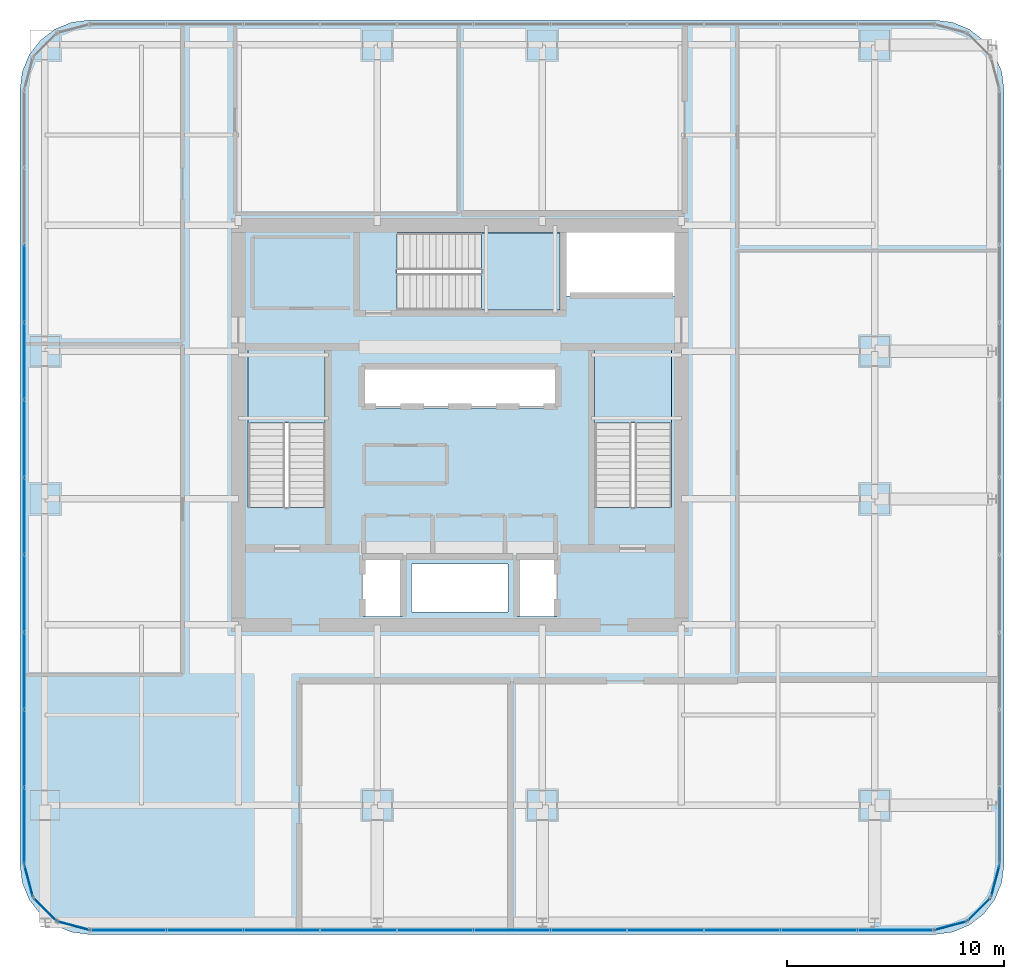
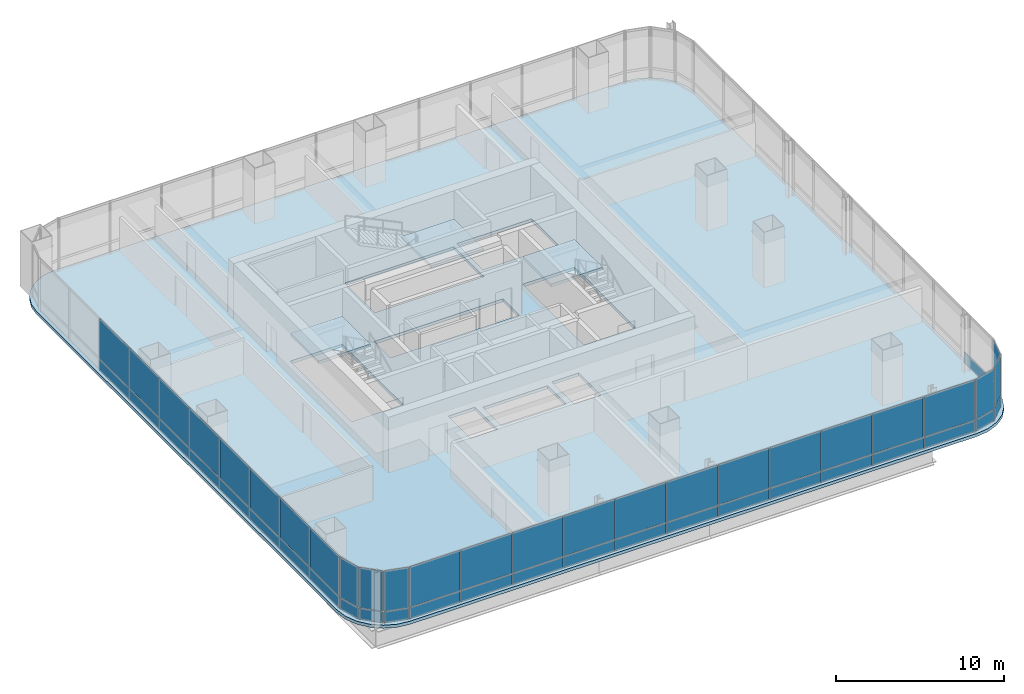
# One storey, part 27 of 35: 51 plates, 4 slabs, 12 elements without a shape of their own.
"""IFC4 building model written with IfcOpenShell, lengths in metres."""

from ifc_helpers import new_model, si_unit, direction, frame, origin, origin_2d, place, context, subcontext, project, spatial, polyline, rectangle, outline, extrude, material, layer, layer_set, type_object, element, aggregate, save


model = new_model("IFC4")

# Units and contexts
model_context = context("Model", 3, precision=1e-05, world=origin(), true_north=direction((0.0, 1.0)))
body_context = subcontext(model_context, "Body", "Model", "MODEL_VIEW")
ifc_project = project(units=[si_unit("LENGTHUNIT", "METRE"), si_unit("AREAUNIT", "SQUARE_METRE"), si_unit("VOLUMEUNIT", "CUBIC_METRE"), si_unit("PLANEANGLEUNIT", "RADIAN"), si_unit("MASSUNIT", "GRAM", prefix="KILO")], contexts=[model_context])

# Site, building, storey
site_placement = place(None, origin())
site = spatial("IfcSite", under=ifc_project, at=site_placement, CompositionType="ELEMENT")
building_placement = place(site_placement, origin())
building = spatial("IfcBuilding", under=site, at=building_placement, Name="Punatoya Terracotta Tower", CompositionType="ELEMENT")
storey_placement = place(building_placement, frame((0.0, 0.0, 216.75)))
storey = spatial("IfcBuildingStorey", under=building, at=storey_placement, Name="L51", CompositionType="ELEMENT", Elevation=216.75)

# Curtain wall, plates
ifc_material_1 = material(Name="Aluminium 6063-T6 + Double Low-E Glass", Category="aluminium")
curtain_wall_type = type_object("IfcCurtainWallType", Name="CW-M2", PredefinedType="NOTDEFINED", material=ifc_material_1)
curtain_wall_1_placement = place(storey_placement, origin())
curtain_wall_1 = element("IfcCurtainWall", 1, at=curtain_wall_1_placement, inside=storey, type_object=curtain_wall_type, Name="L51 Curtain Wall CW-L51-S01-1", PredefinedType="NOTDEFINED")
ifc_material_2 = material(Name="Double Low-E Acoustic Vision Glass", Category="glass")
ifc_layer_1 = layer(ifc_material_2, 0.031982421875)
ifc_layer_set_1 = layer_set([ifc_layer_1], Name="Double Low-E Acoustic Vision Glass")
plate_type_1 = type_object("IfcPlateType", Name="PLT-GLZ-32", PredefinedType="CURTAIN_PANEL", material=ifc_layer_set_1)
plate_1_placement = place(storey_placement, frame((-15.27001953125, -23.25, 0.89013671875), z_axis=(0.0, 0.0, 1.0), x_axis=(1.0, 0.0, 0.0)))
plate_1 = element("IfcPlate", 2, at=plate_1_placement, type_object=plate_type_1, Name="CW-L51-S01-1 Vision Glass Panel 1", PredefinedType="CURTAIN_PANEL", context=body_context, shape_type="SweptSolid", body=[
    extrude(rectangle(XDim=3.448974609375, YDim=0.031982421875, at=origin_2d()), origin(), (0.0, 0.0, 1.0), 2.89990234375),
])
plate_2_placement = place(storey_placement, frame((-11.73583984375, -23.25, 0.89013671875), z_axis=(0.0, 0.0, 1.0), x_axis=(1.0, 0.0, 0.0)))
plate_2 = element("IfcPlate", 3, at=plate_2_placement, type_object=plate_type_1, Name="CW-L51-S01-1 Vision Glass Panel 2", PredefinedType="CURTAIN_PANEL", context=body_context, shape_type="SweptSolid", body=[
    extrude(rectangle(XDim=3.448974609375, YDim=0.031982421875, at=origin_2d()), origin(), (0.0, 0.0, 1.0), 2.89990234375),
])
plate_3_placement = place(storey_placement, frame((-8.201904296875, -23.25, 0.89013671875), z_axis=(0.0, 0.0, 1.0), x_axis=(1.0, 0.0, 0.0)))
plate_3 = element("IfcPlate", 4, at=plate_3_placement, type_object=plate_type_1, Name="CW-L51-S01-1 Vision Glass Panel 3", PredefinedType="CURTAIN_PANEL", context=body_context, shape_type="SweptSolid", body=[
    extrude(rectangle(XDim=3.448974609375, YDim=0.031982421875, at=origin_2d()), origin(), (0.0, 0.0, 1.0), 2.89990234375),
])
plate_4_placement = place(storey_placement, frame((-4.66796875, -23.25, 0.89013671875), z_axis=(0.0, 0.0, 1.0), x_axis=(1.0, 0.0, 0.0)))
plate_4 = element("IfcPlate", 5, at=plate_4_placement, type_object=plate_type_1, Name="CW-L51-S01-1 Vision Glass Panel 4", PredefinedType="CURTAIN_PANEL", context=body_context, shape_type="SweptSolid", body=[
    extrude(rectangle(XDim=3.448974609375, YDim=0.031982421875, at=origin_2d()), origin(), (0.0, 0.0, 1.0), 2.89990234375),
])
plate_5_placement = place(storey_placement, frame((-1.134033203125, -23.25, 0.89013671875), z_axis=(0.0, 0.0, 1.0), x_axis=(1.0, 0.0, 0.0)))
plate_5 = element("IfcPlate", 6, at=plate_5_placement, type_object=plate_type_1, Name="CW-L51-S01-1 Vision Glass Panel 5", PredefinedType="CURTAIN_PANEL", context=body_context, shape_type="SweptSolid", body=[
    extrude(rectangle(XDim=3.448974609375, YDim=0.031982421875, at=origin_2d()), origin(), (0.0, 0.0, 1.0), 2.89990234375),
])
plate_6_placement = place(storey_placement, frame((2.39990234375, -23.25, 0.89013671875), z_axis=(0.0, 0.0, 1.0), x_axis=(1.0, 0.0, 0.0)))
plate_6 = element("IfcPlate", 7, at=plate_6_placement, type_object=plate_type_1, Name="CW-L51-S01-1 Vision Glass Panel 6", PredefinedType="CURTAIN_PANEL", context=body_context, shape_type="SweptSolid", body=[
    extrude(rectangle(XDim=3.448974609375, YDim=0.031982421875, at=origin_2d()), origin(), (0.0, 0.0, 1.0), 2.89990234375),
])
plate_7_placement = place(storey_placement, frame((5.93408203125, -23.25, 0.89013671875), z_axis=(0.0, 0.0, 1.0), x_axis=(1.0, 0.0, 0.0)))
plate_7 = element("IfcPlate", 8, at=plate_7_placement, type_object=plate_type_1, Name="CW-L51-S01-1 Vision Glass Panel 7", PredefinedType="CURTAIN_PANEL", context=body_context, shape_type="SweptSolid", body=[
    extrude(rectangle(XDim=3.448974609375, YDim=0.031982421875, at=origin_2d()), origin(), (0.0, 0.0, 1.0), 2.89990234375),
])
plate_8_placement = place(storey_placement, frame((9.468017578125, -23.25, 0.89013671875), z_axis=(0.0, 0.0, 1.0), x_axis=(1.0, 0.0, 0.0)))
plate_8 = element("IfcPlate", 9, at=plate_8_placement, type_object=plate_type_1, Name="CW-L51-S01-1 Vision Glass Panel 8", PredefinedType="CURTAIN_PANEL", context=body_context, shape_type="SweptSolid", body=[
    extrude(rectangle(XDim=3.448974609375, YDim=0.031982421875, at=origin_2d()), origin(), (0.0, 0.0, 1.0), 2.89990234375),
])
plate_9_placement = place(storey_placement, frame((13.001953125, -23.25, 0.89013671875), z_axis=(0.0, 0.0, 1.0), x_axis=(1.0, 0.0, 0.0)))
plate_9 = element("IfcPlate", 10, at=plate_9_placement, type_object=plate_type_1, Name="CW-L51-S01-1 Vision Glass Panel 9", PredefinedType="CURTAIN_PANEL", context=body_context, shape_type="SweptSolid", body=[
    extrude(rectangle(XDim=3.448974609375, YDim=0.031982421875, at=origin_2d()), origin(), (0.0, 0.0, 1.0), 2.89990234375),
])
plate_10_placement = place(storey_placement, frame((16.535888671875, -23.25, 0.89013671875), z_axis=(0.0, 0.0, 1.0), x_axis=(1.0, 0.0, 0.0)))
plate_10 = element("IfcPlate", 11, at=plate_10_placement, type_object=plate_type_1, Name="CW-L51-S01-1 Vision Glass Panel 10", PredefinedType="CURTAIN_PANEL", context=body_context, shape_type="SweptSolid", body=[
    extrude(rectangle(XDim=3.448974609375, YDim=0.031982421875, at=origin_2d()), origin(), (0.0, 0.0, 1.0), 2.89990234375),
])
plate_11_placement = place(storey_placement, frame((20.06982421875, -23.25, 0.89013671875), z_axis=(0.0, 0.0, 1.0), x_axis=(1.0, 0.0, 0.0)))
plate_11 = element("IfcPlate", 12, at=plate_11_placement, type_object=plate_type_1, Name="CW-L51-S01-1 Vision Glass Panel 11", PredefinedType="CURTAIN_PANEL", context=body_context, shape_type="SweptSolid", body=[
    extrude(rectangle(XDim=3.448974609375, YDim=0.031982421875, at=origin_2d()), origin(), (0.0, 0.0, 1.0), 2.89990234375),
])

# Curtain wall, plate
curtain_wall_2_placement = place(storey_placement, origin())
curtain_wall_2 = element("IfcCurtainWall", 13, at=curtain_wall_2_placement, inside=storey, type_object=curtain_wall_type, Name="L51 Curtain Wall CW-L51-CRN02", PredefinedType="NOTDEFINED")
plate_12_placement = place(storey_placement, frame((22.593017578125, -23.04833984375, 0.89013671875), z_axis=(0.0, 0.0, 1.0), x_axis=(0.966213877436, 0.257741620719, 0.0)))
plate_12 = element("IfcPlate", 14, at=plate_12_placement, type_object=plate_type_1, Name="CW-L51-CRN02 Vision Glass Panel 1", PredefinedType="CURTAIN_PANEL", context=body_context, shape_type="SweptSolid", body=[
    extrude(rectangle(XDim=1.47998046875, YDim=0.031982421875, at=origin_2d()), origin(), (0.0, 0.0, 1.0), 2.89990234375),
])

curtain_wall_3_placement = place(storey_placement, origin())
curtain_wall_3 = element("IfcCurtainWall", 15, at=curtain_wall_3_placement, inside=storey, type_object=curtain_wall_type, Name="L51 Curtain Wall CW-L51-CRN03", PredefinedType="NOTDEFINED")
plate_13_placement = place(storey_placement, frame((23.89794921875, -22.2978515625, 0.89013671875), z_axis=(0.0, 0.0, 1.0), x_axis=(0.707106781187, 0.707106781187, 0.0)))
plate_13 = element("IfcPlate", 16, at=plate_13_placement, type_object=plate_type_1, Name="CW-L51-CRN03 Vision Glass Panel 1", PredefinedType="CURTAIN_PANEL", context=body_context, shape_type="SweptSolid", body=[
    extrude(rectangle(XDim=1.467041015625, YDim=0.031982421875, at=origin_2d()), origin(), (0.0, 0.0, 1.0), 2.89990234375),
])

curtain_wall_4_placement = place(storey_placement, origin())
curtain_wall_4 = element("IfcCurtainWall", 17, at=curtain_wall_4_placement, inside=storey, type_object=curtain_wall_type, Name="L51 Curtain Wall CW-L51-CRN04", PredefinedType="NOTDEFINED")
plate_14_placement = place(storey_placement, frame((24.648193359375, -20.992919921875, 0.89013671875), z_axis=(0.0, 0.0, 1.0), x_axis=(0.257741620719, 0.966213877436, 0.0)))
plate_14 = element("IfcPlate", 18, at=plate_14_placement, type_object=plate_type_1, Name="CW-L51-CRN04 Vision Glass Panel 1", PredefinedType="CURTAIN_PANEL", context=body_context, shape_type="SweptSolid", body=[
    extrude(rectangle(XDim=1.47998046875, YDim=0.031982421875, at=origin_2d()), origin(), (0.0, 0.0, 1.0), 2.89990234375),
])

# Curtain wall, plates
curtain_wall_5_placement = place(storey_placement, origin())
curtain_wall_5 = element("IfcCurtainWall", 19, at=curtain_wall_5_placement, inside=storey, type_object=curtain_wall_type, Name="L51 Curtain Wall CW-L51-W13-1", PredefinedType="NOTDEFINED")
plate_15_placement = place(storey_placement, frame((-20.050048828125, 6.518310546875, 0.89013671875), z_axis=(0.0, 0.0, 1.0), x_axis=(0.0, -1.0, 0.0)))
plate_15 = element("IfcPlate", 20, at=plate_15_placement, type_object=plate_type_1, Name="CW-L51-W13-1 Vision Glass Panel 3", PredefinedType="CURTAIN_PANEL", context=body_context, shape_type="SweptSolid", body=[
    extrude(rectangle(XDim=3.482421875, YDim=0.031982421875, at=origin_2d()), origin(), (0.0, 0.0, 1.0), 2.89990234375),
])
plate_16_placement = place(storey_placement, frame((-20.050048828125, 2.951171875, 0.89013671875), z_axis=(0.0, 0.0, 1.0), x_axis=(0.0, -1.0, 0.0)))
plate_16 = element("IfcPlate", 21, at=plate_16_placement, type_object=plate_type_1, Name="CW-L51-W13-1 Vision Glass Panel 4", PredefinedType="CURTAIN_PANEL", context=body_context, shape_type="SweptSolid", body=[
    extrude(rectangle(XDim=3.482421875, YDim=0.031982421875, at=origin_2d()), origin(), (0.0, 0.0, 1.0), 2.89990234375),
])
plate_17_placement = place(storey_placement, frame((-20.050048828125, -0.6162109375, 0.89013671875), z_axis=(0.0, 0.0, 1.0), x_axis=(0.0, -1.0, 0.0)))
plate_17 = element("IfcPlate", 22, at=plate_17_placement, type_object=plate_type_1, Name="CW-L51-W13-1 Vision Glass Panel 5", PredefinedType="CURTAIN_PANEL", context=body_context, shape_type="SweptSolid", body=[
    extrude(rectangle(XDim=3.482421875, YDim=0.031982421875, at=origin_2d()), origin(), (0.0, 0.0, 1.0), 2.89990234375),
])
plate_18_placement = place(storey_placement, frame((-20.050048828125, -4.18359375, 0.89013671875), z_axis=(0.0, 0.0, 1.0), x_axis=(0.0, -1.0, 0.0)))
plate_18 = element("IfcPlate", 23, at=plate_18_placement, type_object=plate_type_1, Name="CW-L51-W13-1 Vision Glass Panel 6", PredefinedType="CURTAIN_PANEL", context=body_context, shape_type="SweptSolid", body=[
    extrude(rectangle(XDim=3.482421875, YDim=0.031982421875, at=origin_2d()), origin(), (0.0, 0.0, 1.0), 2.89990234375),
])
plate_19_placement = place(storey_placement, frame((-20.050048828125, -7.751220703125, 0.89013671875), z_axis=(0.0, 0.0, 1.0), x_axis=(0.0, -1.0, 0.0)))
plate_19 = element("IfcPlate", 24, at=plate_19_placement, type_object=plate_type_1, Name="CW-L51-W13-1 Vision Glass Panel 7", PredefinedType="CURTAIN_PANEL", context=body_context, shape_type="SweptSolid", body=[
    extrude(rectangle(XDim=3.482421875, YDim=0.031982421875, at=origin_2d()), origin(), (0.0, 0.0, 1.0), 2.89990234375),
])
plate_20_placement = place(storey_placement, frame((-20.050048828125, -11.318359375, 0.89013671875), z_axis=(0.0, 0.0, 1.0), x_axis=(0.0, -1.0, 0.0)))
plate_20 = element("IfcPlate", 25, at=plate_20_placement, type_object=plate_type_1, Name="CW-L51-W13-1 Vision Glass Panel 8", PredefinedType="CURTAIN_PANEL", context=body_context, shape_type="SweptSolid", body=[
    extrude(rectangle(XDim=3.482421875, YDim=0.031982421875, at=origin_2d()), origin(), (0.0, 0.0, 1.0), 2.89990234375),
])
plate_21_placement = place(storey_placement, frame((-20.050048828125, -14.8857421875, 0.89013671875), z_axis=(0.0, 0.0, 1.0), x_axis=(0.0, -1.0, 0.0)))
plate_21 = element("IfcPlate", 26, at=plate_21_placement, type_object=plate_type_1, Name="CW-L51-W13-1 Vision Glass Panel 9", PredefinedType="CURTAIN_PANEL", context=body_context, shape_type="SweptSolid", body=[
    extrude(rectangle(XDim=3.482421875, YDim=0.031982421875, at=origin_2d()), origin(), (0.0, 0.0, 1.0), 2.89990234375),
])
plate_22_placement = place(storey_placement, frame((-20.050048828125, -18.453125, 0.89013671875), z_axis=(0.0, 0.0, 1.0), x_axis=(0.0, -1.0, 0.0)))
plate_22 = element("IfcPlate", 27, at=plate_22_placement, type_object=plate_type_1, Name="CW-L51-W13-1 Vision Glass Panel 10", PredefinedType="CURTAIN_PANEL", context=body_context, shape_type="SweptSolid", body=[
    extrude(rectangle(XDim=3.482421875, YDim=0.031982421875, at=origin_2d()), origin(), (0.0, 0.0, 1.0), 2.89990234375),
])

# Curtain wall, plate
curtain_wall_6_placement = place(storey_placement, origin())
curtain_wall_6 = element("IfcCurtainWall", 28, at=curtain_wall_6_placement, inside=storey, type_object=curtain_wall_type, Name="L51 Curtain Wall CW-L51-CRN14", PredefinedType="NOTDEFINED")
plate_23_placement = place(storey_placement, frame((-19.848388671875, -20.992919921875, 0.89013671875), z_axis=(0.0, 0.0, 1.0), x_axis=(0.257741620719, -0.966213877436, 0.0)))
plate_23 = element("IfcPlate", 29, at=plate_23_placement, type_object=plate_type_1, Name="CW-L51-CRN14 Vision Glass Panel 1", PredefinedType="CURTAIN_PANEL", context=body_context, shape_type="SweptSolid", body=[
    extrude(rectangle(XDim=1.47998046875, YDim=0.031982421875, at=origin_2d()), origin(), (0.0, 0.0, 1.0), 2.89990234375),
])

curtain_wall_7_placement = place(storey_placement, origin())
curtain_wall_7 = element("IfcCurtainWall", 30, at=curtain_wall_7_placement, inside=storey, type_object=curtain_wall_type, Name="L51 Curtain Wall CW-L51-CRN15", PredefinedType="NOTDEFINED")
plate_24_placement = place(storey_placement, frame((-19.097900390625, -22.2978515625, 0.89013671875), z_axis=(0.0, 0.0, 1.0), x_axis=(0.707106781187, -0.707106781187, 0.0)))
plate_24 = element("IfcPlate", 31, at=plate_24_placement, type_object=plate_type_1, Name="CW-L51-CRN15 Vision Glass Panel 1", PredefinedType="CURTAIN_PANEL", context=body_context, shape_type="SweptSolid", body=[
    extrude(rectangle(XDim=1.467041015625, YDim=0.031982421875, at=origin_2d()), origin(), (0.0, 0.0, 1.0), 2.89990234375),
])

curtain_wall_8_placement = place(storey_placement, origin())
curtain_wall_8 = element("IfcCurtainWall", 32, at=curtain_wall_8_placement, inside=storey, type_object=curtain_wall_type, Name="L51 Curtain Wall CW-L51-CRN16", PredefinedType="NOTDEFINED")
plate_25_placement = place(storey_placement, frame((-17.79296875, -23.04833984375, 0.89013671875), z_axis=(0.0, 0.0, 1.0), x_axis=(0.966213877436, -0.257741620719, 0.0)))
plate_25 = element("IfcPlate", 33, at=plate_25_placement, type_object=plate_type_1, Name="CW-L51-CRN16 Vision Glass Panel 1", PredefinedType="CURTAIN_PANEL", context=body_context, shape_type="SweptSolid", body=[
    extrude(rectangle(XDim=1.47998046875, YDim=0.031982421875, at=origin_2d()), origin(), (0.0, 0.0, 1.0), 2.89990234375),
])

# Plate
ifc_material_3 = material(Name="Insulated Terracotta-Backed Spandrel Panel", Category="masonry")
ifc_layer_2 = layer(ifc_material_3, 0.044921875)
ifc_layer_set_2 = layer_set([ifc_layer_2], Name="Insulated Terracotta-Backed Spandrel Panel")
plate_type_2 = type_object("IfcPlateType", Name="PLT-SPN-45", PredefinedType="CURTAIN_PANEL", material=ifc_layer_set_2)
plate_26_placement = place(storey_placement, frame((-15.27001953125, -23.25, 0.0400390625), z_axis=(0.0, 0.0, 1.0), x_axis=(1.0, 0.0, 0.0)))
plate_26 = element("IfcPlate", 34, at=plate_26_placement, type_object=plate_type_2, Name="CW-L51-S01-1 Terracotta Spandrel Panel 1", PredefinedType="CURTAIN_PANEL", context=body_context, shape_type="SweptSolid", body=[
    extrude(rectangle(XDim=3.448974609375, YDim=0.044921875, at=origin_2d()), origin(), (0.0, 0.0, 1.0), 0.77490234375),
])

plate_27_placement = place(storey_placement, frame((-11.73583984375, -23.25, 0.0400390625), z_axis=(0.0, 0.0, 1.0), x_axis=(1.0, 0.0, 0.0)))
plate_27 = element("IfcPlate", 35, at=plate_27_placement, type_object=plate_type_2, Name="CW-L51-S01-1 Terracotta Spandrel Panel 2", PredefinedType="CURTAIN_PANEL", context=body_context, shape_type="SweptSolid", body=[
    extrude(rectangle(XDim=3.448974609375, YDim=0.044921875, at=origin_2d()), origin(), (0.0, 0.0, 1.0), 0.77490234375),
])

plate_28_placement = place(storey_placement, frame((-8.201904296875, -23.25, 0.0400390625), z_axis=(0.0, 0.0, 1.0), x_axis=(1.0, 0.0, 0.0)))
plate_28 = element("IfcPlate", 36, at=plate_28_placement, type_object=plate_type_2, Name="CW-L51-S01-1 Terracotta Spandrel Panel 3", PredefinedType="CURTAIN_PANEL", context=body_context, shape_type="SweptSolid", body=[
    extrude(rectangle(XDim=3.448974609375, YDim=0.044921875, at=origin_2d()), origin(), (0.0, 0.0, 1.0), 0.77490234375),
])

plate_29_placement = place(storey_placement, frame((-4.66796875, -23.25, 0.0400390625), z_axis=(0.0, 0.0, 1.0), x_axis=(1.0, 0.0, 0.0)))
plate_29 = element("IfcPlate", 37, at=plate_29_placement, type_object=plate_type_2, Name="CW-L51-S01-1 Terracotta Spandrel Panel 4", PredefinedType="CURTAIN_PANEL", context=body_context, shape_type="SweptSolid", body=[
    extrude(rectangle(XDim=3.448974609375, YDim=0.044921875, at=origin_2d()), origin(), (0.0, 0.0, 1.0), 0.77490234375),
])

plate_30_placement = place(storey_placement, frame((-1.134033203125, -23.25, 0.0400390625), z_axis=(0.0, 0.0, 1.0), x_axis=(1.0, 0.0, 0.0)))
plate_30 = element("IfcPlate", 38, at=plate_30_placement, type_object=plate_type_2, Name="CW-L51-S01-1 Terracotta Spandrel Panel 5", PredefinedType="CURTAIN_PANEL", context=body_context, shape_type="SweptSolid", body=[
    extrude(rectangle(XDim=3.448974609375, YDim=0.044921875, at=origin_2d()), origin(), (0.0, 0.0, 1.0), 0.77490234375),
])

plate_31_placement = place(storey_placement, frame((2.39990234375, -23.25, 0.0400390625), z_axis=(0.0, 0.0, 1.0), x_axis=(1.0, 0.0, 0.0)))
plate_31 = element("IfcPlate", 39, at=plate_31_placement, type_object=plate_type_2, Name="CW-L51-S01-1 Terracotta Spandrel Panel 6", PredefinedType="CURTAIN_PANEL", context=body_context, shape_type="SweptSolid", body=[
    extrude(rectangle(XDim=3.448974609375, YDim=0.044921875, at=origin_2d()), origin(), (0.0, 0.0, 1.0), 0.77490234375),
])

plate_32_placement = place(storey_placement, frame((5.93408203125, -23.25, 0.0400390625), z_axis=(0.0, 0.0, 1.0), x_axis=(1.0, 0.0, 0.0)))
plate_32 = element("IfcPlate", 40, at=plate_32_placement, type_object=plate_type_2, Name="CW-L51-S01-1 Terracotta Spandrel Panel 7", PredefinedType="CURTAIN_PANEL", context=body_context, shape_type="SweptSolid", body=[
    extrude(rectangle(XDim=3.448974609375, YDim=0.044921875, at=origin_2d()), origin(), (0.0, 0.0, 1.0), 0.77490234375),
])

plate_33_placement = place(storey_placement, frame((9.468017578125, -23.25, 0.0400390625), z_axis=(0.0, 0.0, 1.0), x_axis=(1.0, 0.0, 0.0)))
plate_33 = element("IfcPlate", 41, at=plate_33_placement, type_object=plate_type_2, Name="CW-L51-S01-1 Terracotta Spandrel Panel 8", PredefinedType="CURTAIN_PANEL", context=body_context, shape_type="SweptSolid", body=[
    extrude(rectangle(XDim=3.448974609375, YDim=0.044921875, at=origin_2d()), origin(), (0.0, 0.0, 1.0), 0.77490234375),
])

plate_34_placement = place(storey_placement, frame((13.001953125, -23.25, 0.0400390625), z_axis=(0.0, 0.0, 1.0), x_axis=(1.0, 0.0, 0.0)))
plate_34 = element("IfcPlate", 42, at=plate_34_placement, type_object=plate_type_2, Name="CW-L51-S01-1 Terracotta Spandrel Panel 9", PredefinedType="CURTAIN_PANEL", context=body_context, shape_type="SweptSolid", body=[
    extrude(rectangle(XDim=3.448974609375, YDim=0.044921875, at=origin_2d()), origin(), (0.0, 0.0, 1.0), 0.77490234375),
])

plate_35_placement = place(storey_placement, frame((16.535888671875, -23.25, 0.0400390625), z_axis=(0.0, 0.0, 1.0), x_axis=(1.0, 0.0, 0.0)))
plate_35 = element("IfcPlate", 43, at=plate_35_placement, type_object=plate_type_2, Name="CW-L51-S01-1 Terracotta Spandrel Panel 10", PredefinedType="CURTAIN_PANEL", context=body_context, shape_type="SweptSolid", body=[
    extrude(rectangle(XDim=3.448974609375, YDim=0.044921875, at=origin_2d()), origin(), (0.0, 0.0, 1.0), 0.77490234375),
])

plate_36_placement = place(storey_placement, frame((20.06982421875, -23.25, 0.0400390625), z_axis=(0.0, 0.0, 1.0), x_axis=(1.0, 0.0, 0.0)))
plate_36 = element("IfcPlate", 44, at=plate_36_placement, type_object=plate_type_2, Name="CW-L51-S01-1 Terracotta Spandrel Panel 11", PredefinedType="CURTAIN_PANEL", context=body_context, shape_type="SweptSolid", body=[
    extrude(rectangle(XDim=3.448974609375, YDim=0.044921875, at=origin_2d()), origin(), (0.0, 0.0, 1.0), 0.77490234375),
])

aggregate(curtain_wall_1, [plate_26, plate_1, plate_27, plate_2, plate_28, plate_3, plate_29, plate_4, plate_30, plate_5, plate_31, plate_6, plate_32, plate_7, plate_33, plate_8, plate_34, plate_9, plate_35, plate_10, plate_36, plate_11])

plate_37_placement = place(storey_placement, frame((22.593017578125, -23.04833984375, 0.0400390625), z_axis=(0.0, 0.0, 1.0), x_axis=(0.966213877436, 0.257741620719, 0.0)))
plate_37 = element("IfcPlate", 45, at=plate_37_placement, type_object=plate_type_2, Name="CW-L51-CRN02 Terracotta Spandrel Panel 1", PredefinedType="CURTAIN_PANEL", context=body_context, shape_type="SweptSolid", body=[
    extrude(rectangle(XDim=1.47998046875, YDim=0.044921875, at=origin_2d()), origin(), (0.0, 0.0, 1.0), 0.77490234375),
])

aggregate(curtain_wall_2, [plate_37, plate_12])

plate_38_placement = place(storey_placement, frame((23.89794921875, -22.2978515625, 0.0400390625), z_axis=(0.0, 0.0, 1.0), x_axis=(0.707106781187, 0.707106781187, 0.0)))
plate_38 = element("IfcPlate", 46, at=plate_38_placement, type_object=plate_type_2, Name="CW-L51-CRN03 Terracotta Spandrel Panel 1", PredefinedType="CURTAIN_PANEL", context=body_context, shape_type="SweptSolid", body=[
    extrude(rectangle(XDim=1.467041015625, YDim=0.044921875, at=origin_2d()), origin(), (0.0, 0.0, 1.0), 0.77490234375),
])

aggregate(curtain_wall_3, [plate_38, plate_13])

plate_39_placement = place(storey_placement, frame((24.648193359375, -20.992919921875, 0.0400390625), z_axis=(0.0, 0.0, 1.0), x_axis=(0.257741620719, 0.966213877436, 0.0)))
plate_39 = element("IfcPlate", 47, at=plate_39_placement, type_object=plate_type_2, Name="CW-L51-CRN04 Terracotta Spandrel Panel 1", PredefinedType="CURTAIN_PANEL", context=body_context, shape_type="SweptSolid", body=[
    extrude(rectangle(XDim=1.47998046875, YDim=0.044921875, at=origin_2d()), origin(), (0.0, 0.0, 1.0), 0.77490234375),
])

aggregate(curtain_wall_4, [plate_39, plate_14])

# Curtain wall, plate
curtain_wall_9_placement = place(storey_placement, origin())
curtain_wall_9 = element("IfcCurtainWall", 48, at=curtain_wall_9_placement, inside=storey, type_object=curtain_wall_type, Name="L51 Curtain Wall CW-L51-E05-1", PredefinedType="NOTDEFINED")
plate_40_placement = place(storey_placement, frame((24.85009765625, -18.453125, 0.0400390625), z_axis=(0.0, 0.0, 1.0), x_axis=(0.0, 1.0, 0.0)))
plate_40 = element("IfcPlate", 49, at=plate_40_placement, type_object=plate_type_2, Name="CW-L51-E05-1 Terracotta Spandrel Panel 1", PredefinedType="CURTAIN_PANEL", context=body_context, shape_type="SweptSolid", body=[
    extrude(rectangle(XDim=3.482421875, YDim=0.044921875, at=origin_2d()), origin(), (0.0, 0.0, 1.0), 0.77490234375),
])
aggregate(curtain_wall_9, [plate_40])

# Plate
plate_41_placement = place(storey_placement, frame((-20.050048828125, 6.518310546875, 0.0400390625), z_axis=(0.0, 0.0, 1.0), x_axis=(0.0, -1.0, 0.0)))
plate_41 = element("IfcPlate", 50, at=plate_41_placement, type_object=plate_type_2, Name="CW-L51-W13-1 Terracotta Spandrel Panel 3", PredefinedType="CURTAIN_PANEL", context=body_context, shape_type="SweptSolid", body=[
    extrude(rectangle(XDim=3.482421875, YDim=0.044921875, at=origin_2d()), origin(), (0.0, 0.0, 1.0), 0.77490234375),
])

plate_42_placement = place(storey_placement, frame((-20.050048828125, 2.951171875, 0.0400390625), z_axis=(0.0, 0.0, 1.0), x_axis=(0.0, -1.0, 0.0)))
plate_42 = element("IfcPlate", 51, at=plate_42_placement, type_object=plate_type_2, Name="CW-L51-W13-1 Terracotta Spandrel Panel 4", PredefinedType="CURTAIN_PANEL", context=body_context, shape_type="SweptSolid", body=[
    extrude(rectangle(XDim=3.482421875, YDim=0.044921875, at=origin_2d()), origin(), (0.0, 0.0, 1.0), 0.77490234375),
])

plate_43_placement = place(storey_placement, frame((-20.050048828125, -0.6162109375, 0.0400390625), z_axis=(0.0, 0.0, 1.0), x_axis=(0.0, -1.0, 0.0)))
plate_43 = element("IfcPlate", 52, at=plate_43_placement, type_object=plate_type_2, Name="CW-L51-W13-1 Terracotta Spandrel Panel 5", PredefinedType="CURTAIN_PANEL", context=body_context, shape_type="SweptSolid", body=[
    extrude(rectangle(XDim=3.482421875, YDim=0.044921875, at=origin_2d()), origin(), (0.0, 0.0, 1.0), 0.77490234375),
])

plate_44_placement = place(storey_placement, frame((-20.050048828125, -4.18359375, 0.0400390625), z_axis=(0.0, 0.0, 1.0), x_axis=(0.0, -1.0, 0.0)))
plate_44 = element("IfcPlate", 53, at=plate_44_placement, type_object=plate_type_2, Name="CW-L51-W13-1 Terracotta Spandrel Panel 6", PredefinedType="CURTAIN_PANEL", context=body_context, shape_type="SweptSolid", body=[
    extrude(rectangle(XDim=3.482421875, YDim=0.044921875, at=origin_2d()), origin(), (0.0, 0.0, 1.0), 0.77490234375),
])

plate_45_placement = place(storey_placement, frame((-20.050048828125, -7.751220703125, 0.0400390625), z_axis=(0.0, 0.0, 1.0), x_axis=(0.0, -1.0, 0.0)))
plate_45 = element("IfcPlate", 54, at=plate_45_placement, type_object=plate_type_2, Name="CW-L51-W13-1 Terracotta Spandrel Panel 7", PredefinedType="CURTAIN_PANEL", context=body_context, shape_type="SweptSolid", body=[
    extrude(rectangle(XDim=3.482421875, YDim=0.044921875, at=origin_2d()), origin(), (0.0, 0.0, 1.0), 0.77490234375),
])

plate_46_placement = place(storey_placement, frame((-20.050048828125, -11.318359375, 0.0400390625), z_axis=(0.0, 0.0, 1.0), x_axis=(0.0, -1.0, 0.0)))
plate_46 = element("IfcPlate", 55, at=plate_46_placement, type_object=plate_type_2, Name="CW-L51-W13-1 Terracotta Spandrel Panel 8", PredefinedType="CURTAIN_PANEL", context=body_context, shape_type="SweptSolid", body=[
    extrude(rectangle(XDim=3.482421875, YDim=0.044921875, at=origin_2d()), origin(), (0.0, 0.0, 1.0), 0.77490234375),
])

plate_47_placement = place(storey_placement, frame((-20.050048828125, -14.8857421875, 0.0400390625), z_axis=(0.0, 0.0, 1.0), x_axis=(0.0, -1.0, 0.0)))
plate_47 = element("IfcPlate", 56, at=plate_47_placement, type_object=plate_type_2, Name="CW-L51-W13-1 Terracotta Spandrel Panel 9", PredefinedType="CURTAIN_PANEL", context=body_context, shape_type="SweptSolid", body=[
    extrude(rectangle(XDim=3.482421875, YDim=0.044921875, at=origin_2d()), origin(), (0.0, 0.0, 1.0), 0.77490234375),
])

plate_48_placement = place(storey_placement, frame((-20.050048828125, -18.453125, 0.0400390625), z_axis=(0.0, 0.0, 1.0), x_axis=(0.0, -1.0, 0.0)))
plate_48 = element("IfcPlate", 57, at=plate_48_placement, type_object=plate_type_2, Name="CW-L51-W13-1 Terracotta Spandrel Panel 10", PredefinedType="CURTAIN_PANEL", context=body_context, shape_type="SweptSolid", body=[
    extrude(rectangle(XDim=3.482421875, YDim=0.044921875, at=origin_2d()), origin(), (0.0, 0.0, 1.0), 0.77490234375),
])

aggregate(curtain_wall_5, [plate_41, plate_15, plate_42, plate_16, plate_43, plate_17, plate_44, plate_18, plate_45, plate_19, plate_46, plate_20, plate_47, plate_21, plate_48, plate_22])

plate_49_placement = place(storey_placement, frame((-19.848388671875, -20.992919921875, 0.0400390625), z_axis=(0.0, 0.0, 1.0), x_axis=(0.257741620719, -0.966213877436, 0.0)))
plate_49 = element("IfcPlate", 58, at=plate_49_placement, type_object=plate_type_2, Name="CW-L51-CRN14 Terracotta Spandrel Panel 1", PredefinedType="CURTAIN_PANEL", context=body_context, shape_type="SweptSolid", body=[
    extrude(rectangle(XDim=1.47998046875, YDim=0.044921875, at=origin_2d()), origin(), (0.0, 0.0, 1.0), 0.77490234375),
])

aggregate(curtain_wall_6, [plate_49, plate_23])

plate_50_placement = place(storey_placement, frame((-19.097900390625, -22.2978515625, 0.0400390625), z_axis=(0.0, 0.0, 1.0), x_axis=(0.707106781187, -0.707106781187, 0.0)))
plate_50 = element("IfcPlate", 59, at=plate_50_placement, type_object=plate_type_2, Name="CW-L51-CRN15 Terracotta Spandrel Panel 1", PredefinedType="CURTAIN_PANEL", context=body_context, shape_type="SweptSolid", body=[
    extrude(rectangle(XDim=1.467041015625, YDim=0.044921875, at=origin_2d()), origin(), (0.0, 0.0, 1.0), 0.77490234375),
])

aggregate(curtain_wall_7, [plate_50, plate_24])

plate_51_placement = place(storey_placement, frame((-17.79296875, -23.04833984375, 0.0400390625), z_axis=(0.0, 0.0, 1.0), x_axis=(0.966213877436, -0.257741620719, 0.0)))
plate_51 = element("IfcPlate", 60, at=plate_51_placement, type_object=plate_type_2, Name="CW-L51-CRN16 Terracotta Spandrel Panel 1", PredefinedType="CURTAIN_PANEL", context=body_context, shape_type="SweptSolid", body=[
    extrude(rectangle(XDim=1.47998046875, YDim=0.044921875, at=origin_2d()), origin(), (0.0, 0.0, 1.0), 0.77490234375),
])

aggregate(curtain_wall_8, [plate_51, plate_25])

# Stair, slab
ifc_material_4 = material(Name="Concrete C40/50", Category="concrete")
stair_type_1 = type_object("IfcStairType", Name="STR-TER-1450", PredefinedType="HALF_TURN_STAIR", material=ifc_material_4)
stair_1_placement = place(storey_placement, origin())
stair_1 = element("IfcStair", 61, at=stair_1_placement, inside=storey, type_object=stair_type_1, Name="L51 Protected Core Exit Stair ST-3", PredefinedType="HALF_TURN_STAIR")
ifc_layer_3 = layer(ifc_material_4, 0.1650390625)
ifc_layer_set_3 = layer_set([ifc_layer_3], Name="Concrete C40/50")
slab_type_1 = type_object("IfcSlabType", Name="SLB-LND-165", PredefinedType="LANDING", material=ifc_layer_set_3)
slab_1_placement = place(storey_placement, frame((0.0, 0.0, 1.824951171875)))
slab_1 = element("IfcSlab", 62, at=slab_1_placement, type_object=slab_type_1, Name="ST-3 landing 1", PredefinedType="LANDING", context=body_context, shape_type="SweptSolid", body=[
    extrude(outline(polyline([(1.0, 5.300048828125), (4.60009765625, 5.300048828125), (4.60009765625, 8.85009765625), (1.0, 8.85009765625), (1.0, 5.300048828125)])), origin(), (0.0, 0.0, 1.0), 0.199951171875),
])
aggregate(stair_1, [slab_1])

stair_type_2 = type_object("IfcStairType", Name="STR-CORE-1550", PredefinedType="HALF_TURN_STAIR", material=ifc_material_4)
stair_2_placement = place(storey_placement, origin())
stair_2 = element("IfcStair", 63, at=stair_2_placement, inside=storey, type_object=stair_type_2, Name="L51 Protected Core Exit Stair ST-1", PredefinedType="HALF_TURN_STAIR")
ifc_layer_4 = layer(ifc_material_4, 0.179931640625)
ifc_layer_set_4 = layer_set([ifc_layer_4], Name="Concrete C40/50")
slab_type_2 = type_object("IfcSlabType", Name="SLB-LND-180", PredefinedType="LANDING", material=ifc_layer_set_4)
slab_2_placement = place(storey_placement, frame((0.0, 0.0, 1.824951171875)))
slab_2 = element("IfcSlab", 64, at=slab_2_placement, type_object=slab_type_2, Name="ST-1 landing 1", PredefinedType="LANDING", context=body_context, shape_type="SweptSolid", body=[
    extrude(outline(polyline([(-6.199951171875, 0.10009765625), (-6.199951171875, 3.449951171875), (-9.75, 3.449951171875), (-9.75, 0.10009765625), (-6.199951171875, 0.10009765625)])), origin(), (0.0, 0.0, 1.0), 0.199951171875),
])
aggregate(stair_2, [slab_2])

stair_type_3 = type_object("IfcStairType", Name="STR-LOB-1650", PredefinedType="HALF_TURN_STAIR", material=ifc_material_4)
stair_3_placement = place(storey_placement, origin())
stair_3 = element("IfcStair", 65, at=stair_3_placement, inside=storey, type_object=stair_type_3, Name="L51 Protected Core Exit Stair ST-2", PredefinedType="HALF_TURN_STAIR")
slab_3_placement = place(storey_placement, frame((0.0, 0.0, 1.824951171875)))
slab_3 = element("IfcSlab", 66, at=slab_3_placement, type_object=slab_type_2, Name="ST-2 landing 1", PredefinedType="LANDING", context=body_context, shape_type="SweptSolid", body=[
    extrude(outline(polyline([(9.75, 0.10009765625), (9.75, 3.449951171875), (6.199951171875, 3.449951171875), (6.199951171875, 0.10009765625), (9.75, 0.10009765625)])), origin(), (0.0, 0.0, 1.0), 0.199951171875),
])
aggregate(stair_3, [slab_3])

# Slab
ifc_layer_5 = layer(ifc_material_4, 0.219970703125)
ifc_layer_set_5 = layer_set([ifc_layer_5], Name="Concrete C40/50")
slab_type_3 = type_object("IfcSlabType", Name="SLB-OFF-220", PredefinedType="FLOOR", material=ifc_layer_set_5)
slab_4_placement = place(storey_placement, frame((0.0, 0.0, -0.219970703125)))
element("IfcSlab", 67, at=slab_4_placement, inside=storey, type_object=slab_type_3, Name="L51 Structural Floor Slab", PredefinedType="FLOOR", context=body_context, shape_type="SweptSolid", body=[
    extrude(outline(polyline([(-17.050048828125, -23.449951171875), (-17.878173828125, -23.341064453125), (-18.64990234375, -23.021240234375), (-19.312744140625, -22.5126953125), (-19.8212890625, -21.85009765625), (-20.14111328125, -21.078125), (-20.25, -20.25), (-20.25, 15.449951171875), (-20.14111328125, 16.2783203125), (-19.8212890625, 17.050048828125), (-19.312744140625, 17.712646484375), (-18.64990234375, 18.22119140625), (-17.878173828125, 18.541015625), (-17.050048828125, 18.64990234375), (21.85009765625, 18.64990234375), (22.67822265625, 18.541015625), (23.449951171875, 18.22119140625), (24.11279296875, 17.712646484375), (24.621337890625, 17.050048828125), (24.94091796875, 16.2783203125), (25.050048828125, 15.449951171875), (25.050048828125, -20.25), (24.94091796875, -21.078125), (24.621337890625, -21.85009765625), (24.11279296875, -22.5126953125), (23.449951171875, -23.021240234375), (22.67822265625, -23.341064453125), (21.85009765625, -23.449951171875), (-17.050048828125, -23.449951171875)]), holes=[polyline([(-2.6298828125, -6.179931640625), (-4.469970703125, -6.179931640625), (-4.469970703125, -8.820068359375), (-2.6298828125, -8.820068359375), (-2.6298828125, -6.179931640625)]), polyline([(0.02001953125, -8.594970703125), (2.219970703125, -8.594970703125), (2.219970703125, -6.405029296875), (0.02001953125, -6.405029296875), (-0.02001953125, -6.405029296875), (-2.219970703125, -6.405029296875), (-2.219970703125, -8.594970703125), (-0.02001953125, -8.594970703125), (0.02001953125, -8.594970703125)]), polyline([(-6.199951171875, 3.449951171875), (-9.75, 3.449951171875), (-9.75, -3.79931640625), (-6.199951171875, -3.79931640625), (-6.199951171875, 3.449951171875)]), polyline([(-4.419921875, 2.719970703125), (-4.419921875, 0.780029296875), (-2.219970703125, 0.780029296875), (-2.179931640625, 0.780029296875), (-0.02001953125, 0.780029296875), (0.02001953125, 0.780029296875), (2.179931640625, 0.780029296875), (2.219970703125, 0.780029296875), (4.419921875, 0.780029296875), (4.419921875, 2.719970703125), (2.219970703125, 2.719970703125), (2.179931640625, 2.719970703125), (0.02001953125, 2.719970703125), (-0.02001953125, 2.719970703125), (-2.179931640625, 2.719970703125), (-2.219970703125, 2.719970703125), (-4.419921875, 2.719970703125)]), polyline([(4.60009765625, 5.300048828125), (4.60009765625, 8.85009765625), (-2.899169921875, 8.85009765625), (-2.899169921875, 5.300048828125), (4.60009765625, 5.300048828125)]), polyline([(4.469970703125, -8.820068359375), (4.469970703125, -6.179931640625), (2.6298828125, -6.179931640625), (2.6298828125, -8.820068359375), (4.469970703125, -8.820068359375)]), polyline([(9.75, 3.449951171875), (6.199951171875, 3.449951171875), (6.199951171875, -3.79931640625), (9.75, -3.79931640625), (9.75, 3.449951171875)]), polyline([(10.050048828125, 5.949951171875), (10.050048828125, 9.050048828125), (4.89990234375, 9.050048828125), (4.89990234375, 5.949951171875), (10.050048828125, 5.949951171875)])]), origin(), (0.0, 0.0, 1.0), 0.219970703125),
])

save(model, "model.ifc")
